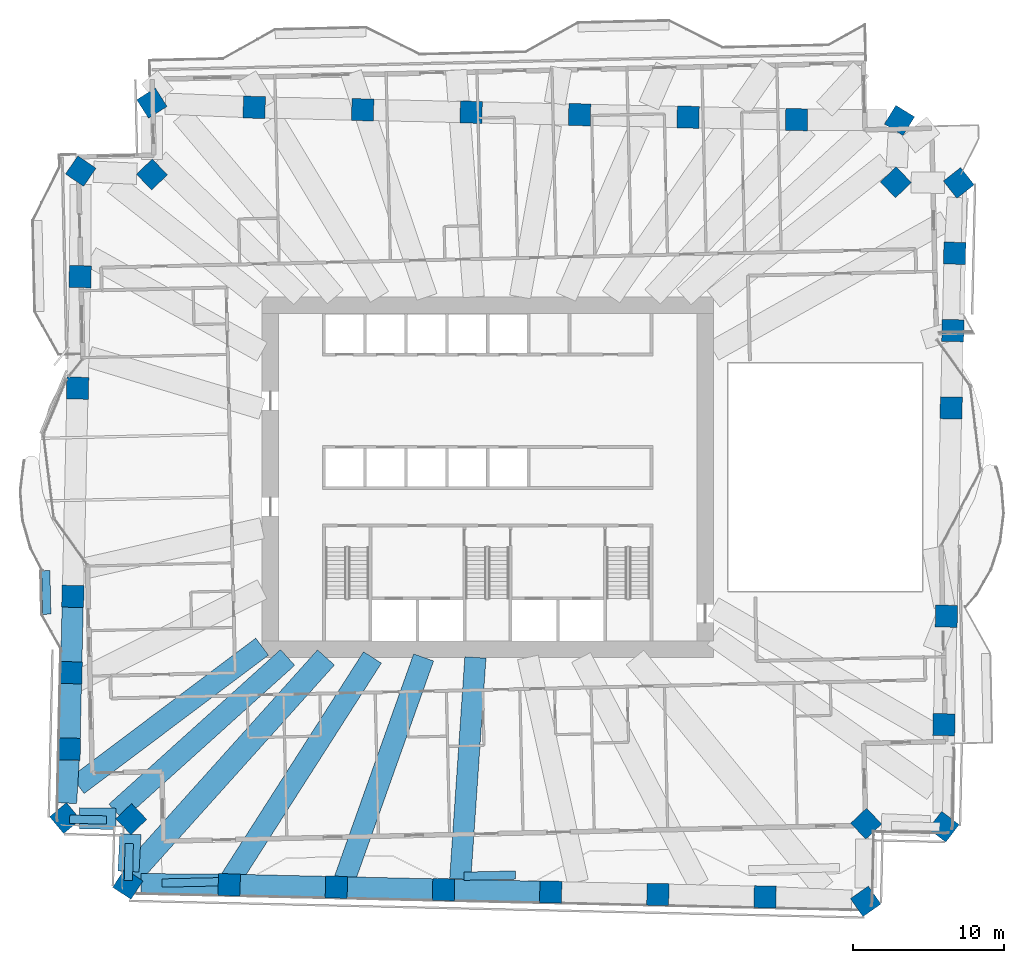
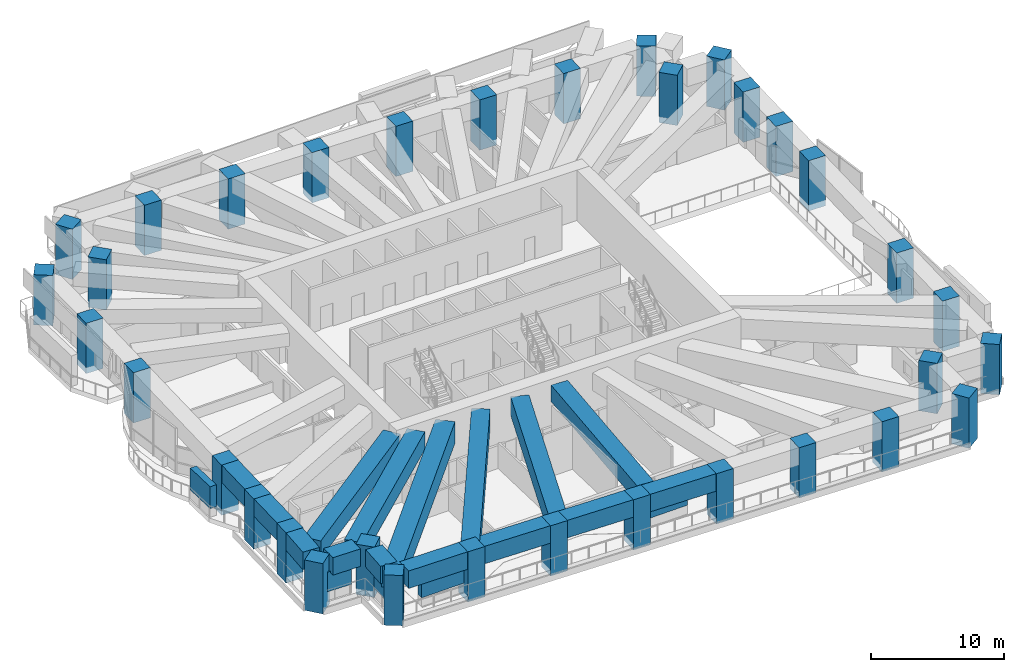
# One storey, part 1 of 20: 34 columns, 15 beams, 5 members.
"""IFC4 building model written with IfcOpenShell, lengths in metres."""

from ifc_helpers import new_model, si_unit, direction, frame, origin, origin_2d, place, context, subcontext, project, spatial, rectangle, extrude, material, material_profile, profile_set, type_object, element, save


model = new_model("IFC4")

# Units and contexts
model_context = context("Model", 3, precision=1e-05, world=origin(), true_north=direction((0.0, 1.0)))
body_context = subcontext(model_context, "Body", "Model", "MODEL_VIEW")
ifc_project = project(units=[si_unit("LENGTHUNIT", "METRE"), si_unit("AREAUNIT", "SQUARE_METRE"), si_unit("VOLUMEUNIT", "CUBIC_METRE"), si_unit("PLANEANGLEUNIT", "RADIAN"), si_unit("MASSUNIT", "GRAM", prefix="KILO")], contexts=[model_context])

# Site, building, storey
site_placement = place(None, origin())
site = spatial("IfcSite", under=ifc_project, at=site_placement, CompositionType="ELEMENT")
building_placement = place(site_placement, origin())
building = spatial("IfcBuilding", under=site, at=building_placement, Name="Mangrove Gate Tower", CompositionType="ELEMENT")
storey_placement = place(building_placement, frame((0.0, 0.0, 74.699951171875)))
storey = spatial("IfcBuildingStorey", under=building, at=storey_placement, Name="L18", CompositionType="ELEMENT", Elevation=74.699951171875)

# Columns
ifc_material_1 = material(Name="Concrete C70/85", Category="concrete")
ifc_material_profile_1 = material_profile(ifc_material_1, rectangle(XDim=1.449951171875, YDim=1.449951171875, at=origin_2d()))
ifc_profile_set_1 = profile_set([ifc_material_profile_1], Name="Concrete C70/85")
column_type = type_object("IfcColumnType", Name="Column RC 1450x1450 C70/85", PredefinedType="COLUMN", material=ifc_profile_set_1)
for number, where, z_axis, x_axis, name in (
    (1, (-27.39111328125, -7.869384765625, -0.550048828125), (0.0, 0.0, 1.0), (-0.022722615033, -0.999741808051, 0.0), "Column L18 W05"),
    (2, (-27.506103515625, -12.909423828125, -0.550048828125), (0.0, 0.0, 1.0), (-0.022712390043, -0.999742040398, 0.0), "Column L18 W06"),
    (3, (-27.6201171875, -17.949462890625, -0.550048828125), (0.0, 0.0, 1.0), (-0.022710139149, -0.999742091532, 0.0), "Column L18 W07"),
    (4, (-27.903076171875, -22.509765625, -0.550048828125), (0.0, 0.0, 1.0), (0.640243203999, -0.768172272172, 0.0), "Column L18 W08"),
    (5, (-23.536865234375, -22.572021484375, -0.550048828125), (0.0, 0.0, 1.0), (0.691018296422, -0.722837266617, 0.0), "Column L18 W09"),
    (6, (-23.76318359375, -26.865234375, -0.550048828125), (0.0, 0.0, 1.0), (0.837001319642, -0.547200868893, 0.0), "Column L18 S01"),
    (7, (-17.069580078125, -26.908203125, -0.550048828125), (0.0, 0.0, 1.0), (0.999742746705, -0.022681278839, 0.0), "Column L18 S02"),
    (8, (-9.99462890625, -27.068115234375, -0.550048828125), (0.0, 0.0, 1.0), (0.999742783124, -0.022679673549, 0.0), "Column L18 S03"),
    (9, (-2.919677734375, -27.229248046875, -0.550048828125), (0.0, 0.0, 1.0), (0.999742783124, -0.022679673549, 0.0), "Column L18 S04"),
    (10, (4.155517578125, -27.38916015625, -0.550048828125), (0.0, 0.0, 1.0), (0.999742746705, -0.022681278839, 0.0), "Column L18 S05"),
    (11, (11.2294921875, -27.55029296875, -0.550048828125), (0.0, 0.0, 1.0), (0.999741142154, -0.022751894086, 0.0), "Column L18 S06"),
    (12, (18.304443359375, -27.711181640625, -0.550048828125), (0.0, 0.0, 1.0), (0.999742783124, -0.022679673549, 0.0), "Column L18 S07"),
    (13, (24.947021484375, -28.002197265625, -0.550048828125), (0.0, 0.0, 1.0), (0.819023244747, 0.573760337218, 0.0), "Column L18 S08"),
    (14, (24.97998046875, -22.872802734375, -0.550048828125), (0.0, 0.0, 1.0), (0.722904645442, 0.690947808158, 0.0), "Column L18 E01"),
    (15, (30.10205078125, -23.075927734375, -0.550048828125), (0.0, 0.0, 1.0), (0.605733382364, 0.795667687851, 0.0), "Column L18 E02"),
    (16, (30.1171875, -16.338623046875, -0.550048828125), (0.0, 0.0, 1.0), (0.02268810132, 0.9997425919, 0.0), "Column L18 E03"),
    (17, (30.279296875, -9.177490234375, -0.550048828125), (0.0, 0.0, 1.0), (0.022664929308, 0.999743117495, 0.0), "Column L18 E04"),
    (18, (30.59130859375, 4.5693359375, -0.550048828125), (0.0, 0.0, 1.0), (0.022694906351, 0.999742437444, 0.0), "Column L18 E05"),
    (19, (30.707275390625, 9.676513671875, -0.550048828125), (0.0, 0.0, 1.0), (0.022708062743, 0.999742138697, 0.0), "Column L18 E06"),
    (20, (30.8232421875, 14.783447265625, -0.550048828125), (0.0, 0.0, 1.0), (0.022710278739, 0.999742088361, 0.0), "Column L18 E07"),
    (21, (31.09375, 19.42529296875, -0.550048828125), (0.0, 0.0, 1.0), (-0.617420768596, 0.786633074887, 0.0), "Column L18 E08"),
    (22, (26.94091796875, 19.468017578125, -0.550048828125), (0.0, 0.0, 1.0), (-0.69084800058, 0.723000027728, 0.0), "Column L18 E09"),
    (23, (27.17919921875, 23.551025390625, -0.550048828125), (0.0, 0.0, 1.0), (-0.85094209372, 0.525259510276, 0.0), "Column L18 N01"),
    (24, (20.383544921875, 23.605224609375, -0.550048828125), (0.0, 0.0, 1.0), (-0.999742555864, 0.022689689161, 0.0), "Column L18 N02"),
    (25, (13.2236328125, 23.76806640625, -0.550048828125), (0.0, 0.0, 1.0), (-0.9997425919, 0.02268810132, 0.0), "Column L18 N03"),
    (26, (6.0625, 23.93017578125, -0.550048828125), (0.0, 0.0, 1.0), (-0.9997425919, 0.02268810132, 0.0), "Column L18 N04"),
    (27, (-1.097412109375, 24.09326171875, -0.550048828125), (0.0, 0.0, 1.0), (-0.9997425919, 0.02268810132, 0.0), "Column L18 N05"),
    (28, (-8.258544921875, 24.255126953125, -0.550048828125), (0.0, 0.0, 1.0), (-0.9997425919, 0.02268810132, 0.0), "Column L18 N06"),
    (29, (-15.41845703125, 24.418212890625, -0.550048828125), (0.0, 0.0, 1.0), (-0.9997425919, 0.02268810132, 0.0), "Column L18 N07"),
    (30, (-22.173095703125, 24.69384765625, -0.550048828125), (0.0, 0.0, 1.0), (-0.843102323493, -0.537753170256, 0.0), "Column L18 N08"),
    (31, (-22.171142578125, 19.98193359375, -0.550048828125), (0.0, 0.0, 1.0), (-0.722910554479, -0.69094162577, 0.0), "Column L18 W01"),
    (32, (-26.871826171875, 20.205322265625, -0.550048828125), (0.0, 0.0, 1.0), (-0.564977588075, -0.825106250718, 0.0), "Column L18 W02"),
    (33, (-26.912109375, 13.238525390625, -0.550048828125), (0.0, 0.0, 1.0), (-0.022682831782, -0.999742711472, 0.0), "Column L18 W03"),
    (34, (-27.0791015625, 5.87744140625, -0.550048828125), (0.0, 0.0, 1.0), (-0.022686984597, -0.999742617242, 0.0), "Column L18 W04"),
):
    element("IfcColumn", number, at=place(storey_placement, frame(where, z_axis=z_axis, x_axis=x_axis)), inside=storey, type_object=column_type, Name=name, PredefinedType="COLUMN", context=body_context, shape_type="SweptSolid", body=[
        extrude(rectangle(XDim=1.449951171875, YDim=1.449951171875, at=origin_2d()), origin(), (0.0, 0.0, 1.0), 4.60009765625),
    ])

# Members
ifc_material_2 = material(Name="Planting on aluminium trellis", Category="aluminium")
ifc_material_profile_2 = material_profile(ifc_material_2, rectangle(XDim=0.550048828125, YDim=2.0, at=origin_2d()))
ifc_profile_set_2 = profile_set([ifc_material_profile_2], Name="Planting on aluminium trellis")
member_type_1 = type_object("IfcMemberType", Name="Balcony greenery screen 550x2000", PredefinedType="USERDEFINED", material=ifc_profile_set_2)
member_1_placement = place(storey_placement, frame((-29.115966796875, -9.050048828125, 1.800048828125), z_axis=(-0.022590224177, 0.999744808324, 0.0), x_axis=(-0.999744808324, -0.022590224177, 0.0)))
element("IfcMember", 35, at=member_1_placement, inside=storey, type_object=member_type_1, Name="GREEN SCREEN L18 W1.1", ObjectType="PLANTING", PredefinedType="USERDEFINED", context=body_context, shape_type="SweptSolid", body=[
    extrude(rectangle(XDim=0.550048828125, YDim=2.0, at=origin_2d()), origin(), (0.0, 0.0, 1.0), 2.874755859375),
])
member_2_placement = place(storey_placement, frame((-21.49609375, -26.7958984375, 1.800048828125), z_axis=(0.999744993256, 0.022582038422, 0.0), x_axis=(-0.022582038422, 0.999744993256, 0.0)))
element("IfcMember", 36, at=member_2_placement, inside=storey, type_object=member_type_1, Name="GREEN SCREEN L18 S0.1", ObjectType="PLANTING", PredefinedType="USERDEFINED", context=body_context, shape_type="SweptSolid", body=[
    extrude(rectangle(XDim=0.550048828125, YDim=2.0, at=origin_2d()), origin(), (0.0, 0.0, 1.0), 4.7353515625),
])
member_3_placement = place(storey_placement, frame((-1.56494140625, -26.343994140625, 1.800048828125), z_axis=(0.999744128955, 0.022620270121, 0.0), x_axis=(-0.022620270121, 0.999744128955, 0.0)))
element("IfcMember", 37, at=member_3_placement, inside=storey, type_object=member_type_1, Name="GREEN SCREEN L18 S0.2", ObjectType="PLANTING", PredefinedType="USERDEFINED", context=body_context, shape_type="SweptSolid", body=[
    extrude(rectangle(XDim=0.550048828125, YDim=2.0, at=origin_2d()), origin(), (0.0, 0.0, 1.0), 3.39990234375),
])
ifc_material_3 = material(Name="Planting on aluminium trellis", Category="aluminium")
ifc_material_profile_3 = material_profile(ifc_material_3, rectangle(XDim=0.550048828125, YDim=1.800048828125, at=origin_2d()))
ifc_profile_set_3 = profile_set([ifc_material_profile_3], Name="Planting on aluminium trellis")
member_type_2 = type_object("IfcMemberType", Name="Roof greenery screen 550x1800", PredefinedType="USERDEFINED", material=ifc_profile_set_3)
for number, where, z_axis, x_axis, name in (
    (38, (-23.72607421875, -26.632080078125, 1.699951171875), (0.022634952719, 0.999743796638, 0.0), (-0.999743796638, 0.022634952719, 0.0), "GREEN SCREEN L18 T4.5.6"),
    (39, (-25.1630859375, -22.633056640625, 1.699951171875), (-0.999743796638, 0.022634952719, 0.0), (-0.022634952719, -0.999743796638, 0.0), "GREEN SCREEN L18 T4.5.9"),
):
    element("IfcMember", number, at=place(storey_placement, frame(where, z_axis=z_axis, x_axis=x_axis)), inside=storey, type_object=member_type_2, Name=name, ObjectType="PLANTING", PredefinedType="USERDEFINED", context=body_context, shape_type="SweptSolid", body=[
        extrude(rectangle(XDim=0.550048828125, YDim=1.800048828125, at=origin_2d()), origin(), (0.0, 0.0, 1.0), 2.437744140625),
    ])

# Beams
ifc_material_4 = material(Name="Concrete C70/85", Category="concrete")
ifc_material_profile_4 = material_profile(ifc_material_4, rectangle(XDim=1.39990234375, YDim=1.5, at=origin_2d()))
ifc_profile_set_4 = profile_set([ifc_material_profile_4], Name="Concrete C70/85")
beam_type_1 = type_object("IfcBeamType", Name="Transfer girder RC 1400x1500 C70/85", PredefinedType="BEAM", material=ifc_profile_set_4)
beam_1_placement = place(storey_placement, frame((-0.81494140625, -11.89990234375, 3.300048828125), z_axis=(-0.068337137058, -0.997662285395, 0.0), x_axis=(0.997662285395, -0.068337137058, 0.0)))
element("IfcBeam", 40, at=beam_1_placement, inside=storey, type_object=beam_type_1, Name="Transfer girder L18 07", PredefinedType="BEAM", context=body_context, shape_type="SweptSolid", body=[
    extrude(rectangle(XDim=1.39990234375, YDim=1.5, at=origin_2d()), origin(), (0.0, 0.0, 1.0), 14.6689453125),
])
ifc_material_5 = material(Name="Concrete C70/85", Category="concrete")
ifc_material_profile_5 = material_profile(ifc_material_5, rectangle(XDim=1.39990234375, YDim=1.60009765625, at=origin_2d()))
ifc_profile_set_5 = profile_set([ifc_material_profile_5], Name="Concrete C70/85")
beam_type_2 = type_object("IfcBeamType", Name="Transfer girder RC 1400x1600 C70/85", PredefinedType="BEAM", material=ifc_profile_set_5)
for number, where, z_axis, x_axis, name in (
    (41, (-27.40771484375, -8.59423828125, 3.25), (-0.022841856011, -0.99973909077, 0.0), (0.99973909077, -0.022841856011, 0.0), "Transfer ring girder L18 00"),
    (42, (-27.5224609375, -13.63427734375, 3.25), (-0.022638015856, -0.999743727281, 0.0), (0.999743727281, -0.022638015856, 0.0), "Transfer ring girder L18 01"),
):
    element("IfcBeam", number, at=place(storey_placement, frame(where, z_axis=z_axis, x_axis=x_axis)), inside=storey, type_object=beam_type_2, Name=name, PredefinedType="BEAM", context=body_context, shape_type="SweptSolid", body=[
        extrude(rectangle(XDim=1.39990234375, YDim=1.60009765625, at=origin_2d()), origin(), (0.0, 0.0, 1.0), 3.59130859375),
    ])
beam_2_placement = place(storey_placement, frame((-27.6650390625, -18.673583984375, 3.25), z_axis=(-0.061924410758, -0.998080842093, 0.0), x_axis=(0.998080842093, -0.061924410758, 0.0)))
element("IfcBeam", 43, at=beam_2_placement, inside=storey, type_object=beam_type_2, Name="Transfer ring girder L18 02", PredefinedType="BEAM", context=body_context, shape_type="SweptSolid", body=[
    extrude(rectangle(XDim=1.39990234375, YDim=1.60009765625, at=origin_2d()), origin(), (0.0, 0.0, 1.0), 2.846435546875),
])
beam_3_placement = place(storey_placement, frame((-26.947998046875, -22.5234375, 3.25), z_axis=(0.999898120372, -0.014274063103, 0.0), x_axis=(0.014274063103, 0.999898120372, 0.0)))
element("IfcBeam", 44, at=beam_3_placement, inside=storey, type_object=beam_type_2, Name="Transfer ring girder L18 03", PredefinedType="BEAM", context=body_context, shape_type="SweptSolid", body=[
    extrude(rectangle(XDim=1.39990234375, YDim=1.60009765625, at=origin_2d()), origin(), (0.0, 0.0, 1.0), 2.39453125),
])
beam_4_placement = place(storey_placement, frame((-23.58935546875, -23.56640625, 3.25), z_axis=(-0.052693998779, -0.998610706178, 0.0), x_axis=(0.998610706178, -0.052693998779, 0.0)))
element("IfcBeam", 45, at=beam_4_placement, inside=storey, type_object=beam_type_2, Name="Transfer ring girder L18 04", PredefinedType="BEAM", context=body_context, shape_type="SweptSolid", body=[
    extrude(rectangle(XDim=1.39990234375, YDim=1.60009765625, at=origin_2d()), origin(), (0.0, 0.0, 1.0), 2.46484375),
])
beam_5_placement = place(storey_placement, frame((-22.900634765625, -26.87060546875, 3.25), z_axis=(0.999979167098, -0.006454871739, 0.0), x_axis=(0.006454871739, 0.999979167098, 0.0)))
element("IfcBeam", 46, at=beam_5_placement, inside=storey, type_object=beam_type_2, Name="Transfer ring girder L18 05", PredefinedType="BEAM", context=body_context, shape_type="SweptSolid", body=[
    extrude(rectangle(XDim=1.39990234375, YDim=1.60009765625, at=origin_2d()), origin(), (0.0, 0.0, 1.0), 5.10595703125),
])
beam_6_placement = place(storey_placement, frame((-16.3447265625, -26.924560546875, 3.25), z_axis=(0.999744449755, -0.022606087337, 0.0), x_axis=(0.022606087337, 0.999744449755, 0.0)))
element("IfcBeam", 47, at=beam_6_placement, inside=storey, type_object=beam_type_2, Name="Transfer ring girder L18 06", PredefinedType="BEAM", context=body_context, shape_type="SweptSolid", body=[
    extrude(rectangle(XDim=1.39990234375, YDim=1.60009765625, at=origin_2d()), origin(), (0.0, 0.0, 1.0), 5.626708984375),
])
for number, where, z_axis, x_axis, name in (
    (48, (-9.269775390625, -27.084716796875, 3.25), (0.999741521857, -0.022735203431, 0.0), (0.022735203431, 0.999741521857, 0.0), "Transfer ring girder L18 07"),
    (49, (-2.19482421875, -27.24560546875, 3.25), (0.999744471927, -0.022605106756, 0.0), (0.022605106756, 0.999744471927, 0.0), "Transfer ring girder L18 08"),
):
    element("IfcBeam", number, at=place(storey_placement, frame(where, z_axis=z_axis, x_axis=x_axis)), inside=storey, type_object=beam_type_2, Name=name, PredefinedType="BEAM", context=body_context, shape_type="SweptSolid", body=[
        extrude(rectangle(XDim=1.39990234375, YDim=1.60009765625, at=origin_2d()), origin(), (0.0, 0.0, 1.0), 5.626953125),
    ])
beam_7_placement = place(storey_placement, frame((-14.89990234375, -11.18896484375, 3.25), z_axis=(-0.799635922457, -0.600485130138, 0.0), x_axis=(0.600485130138, -0.799635922457, 0.0)))
element("IfcBeam", 50, at=beam_7_placement, inside=storey, type_object=beam_type_2, Name="Transfer girder L18 02", PredefinedType="BEAM", context=body_context, shape_type="SweptSolid", body=[
    extrude(rectangle(XDim=1.39990234375, YDim=1.60009765625, at=origin_2d()), origin(), (0.0, 0.0, 1.0), 15.21484375),
])
beam_8_placement = place(storey_placement, frame((-13.21142578125, -11.89990234375, 3.25), z_axis=(-0.743020317376, -0.669268860748, 0.0), x_axis=(0.669268860748, -0.743020317376, 0.0)))
element("IfcBeam", 51, at=beam_8_placement, inside=storey, type_object=beam_type_2, Name="Transfer girder L18 03", PredefinedType="BEAM", context=body_context, shape_type="SweptSolid", body=[
    extrude(rectangle(XDim=1.39990234375, YDim=1.60009765625, at=origin_2d()), origin(), (0.0, 0.0, 1.0), 15.25390625),
])
ifc_material_6 = material(Name="Concrete C70/85", Category="concrete")
ifc_material_profile_6 = material_profile(ifc_material_6, rectangle(XDim=1.39990234375, YDim=1.699951171875, at=origin_2d()))
ifc_profile_set_6 = profile_set([ifc_material_profile_6], Name="Concrete C70/85")
beam_type_3 = type_object("IfcBeamType", Name="Transfer girder RC 1400x1700 C70/85", PredefinedType="BEAM", material=ifc_profile_set_6)
beam_9_placement = place(storey_placement, frame((-4.235107421875, -11.89990234375, 3.199951171875), z_axis=(-0.335286818822, -0.942116101722, 0.0), x_axis=(0.942116101722, -0.335286818822, 0.0)))
element("IfcBeam", 52, at=beam_9_placement, inside=storey, type_object=beam_type_3, Name="Transfer girder L18 06", PredefinedType="BEAM", context=body_context, shape_type="SweptSolid", body=[
    extrude(rectangle(XDim=1.39990234375, YDim=1.699951171875, at=origin_2d()), origin(), (0.0, 0.0, 1.0), 16.10888671875),
])
ifc_material_7 = material(Name="Concrete C70/85", Category="concrete")
ifc_material_profile_7 = material_profile(ifc_material_7, rectangle(XDim=1.39990234375, YDim=1.800048828125, at=origin_2d()))
ifc_profile_set_7 = profile_set([ifc_material_profile_7], Name="Concrete C70/85")
beam_type_4 = type_object("IfcBeamType", Name="Transfer girder RC 1400x1800 C70/85", PredefinedType="BEAM", material=ifc_profile_set_7)
beam_10_placement = place(storey_placement, frame((-7.611083984375, -11.89990234375, 3.150146484375), z_axis=(-0.538812559367, -0.84242567973, 0.0), x_axis=(0.84242567973, -0.538812559367, 0.0)))
element("IfcBeam", 53, at=beam_10_placement, inside=storey, type_object=beam_type_4, Name="Transfer girder L18 05", PredefinedType="BEAM", context=body_context, shape_type="SweptSolid", body=[
    extrude(rectangle(XDim=1.39990234375, YDim=1.800048828125, at=origin_2d()), origin(), (0.0, 0.0, 1.0), 17.814453125),
])
ifc_material_8 = material(Name="Concrete C70/85", Category="concrete")
ifc_material_profile_8 = material_profile(ifc_material_8, rectangle(XDim=1.5, YDim=1.949951171875, at=origin_2d()))
ifc_profile_set_8 = profile_set([ifc_material_profile_8], Name="Concrete C70/85")
beam_type_5 = type_object("IfcBeamType", Name="Transfer girder RC 1500x1950 C70/85", PredefinedType="BEAM", material=ifc_profile_set_8)
beam_11_placement = place(storey_placement, frame((-10.679443359375, -11.89990234375, 3.074951171875), z_axis=(-0.667907436909, -0.74424435216, 0.0), x_axis=(0.74424435216, -0.667907436909, 0.0)))
element("IfcBeam", 54, at=beam_11_placement, inside=storey, type_object=beam_type_5, Name="Transfer girder L18 04", PredefinedType="BEAM", context=body_context, shape_type="SweptSolid", body=[
    extrude(rectangle(XDim=1.5, YDim=1.949951171875, at=origin_2d()), origin(), (0.0, 0.0, 1.0), 19.556884765625),
])

save(model, "model.ifc")
